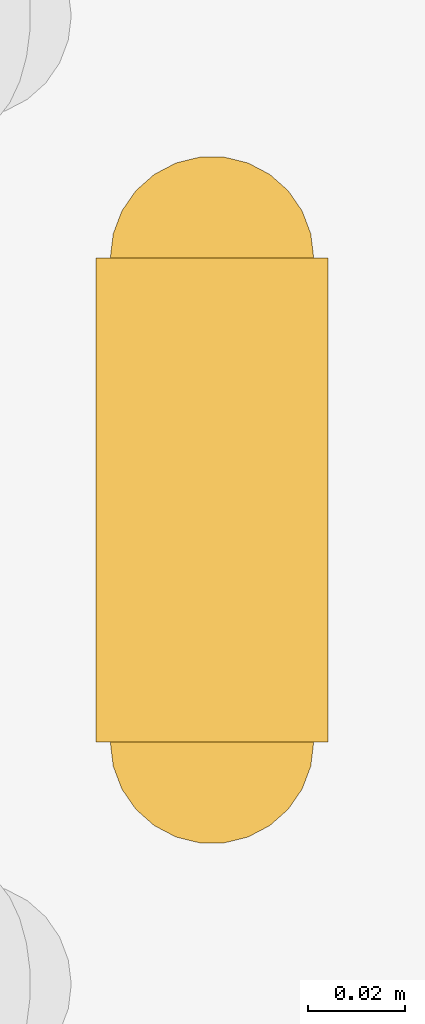
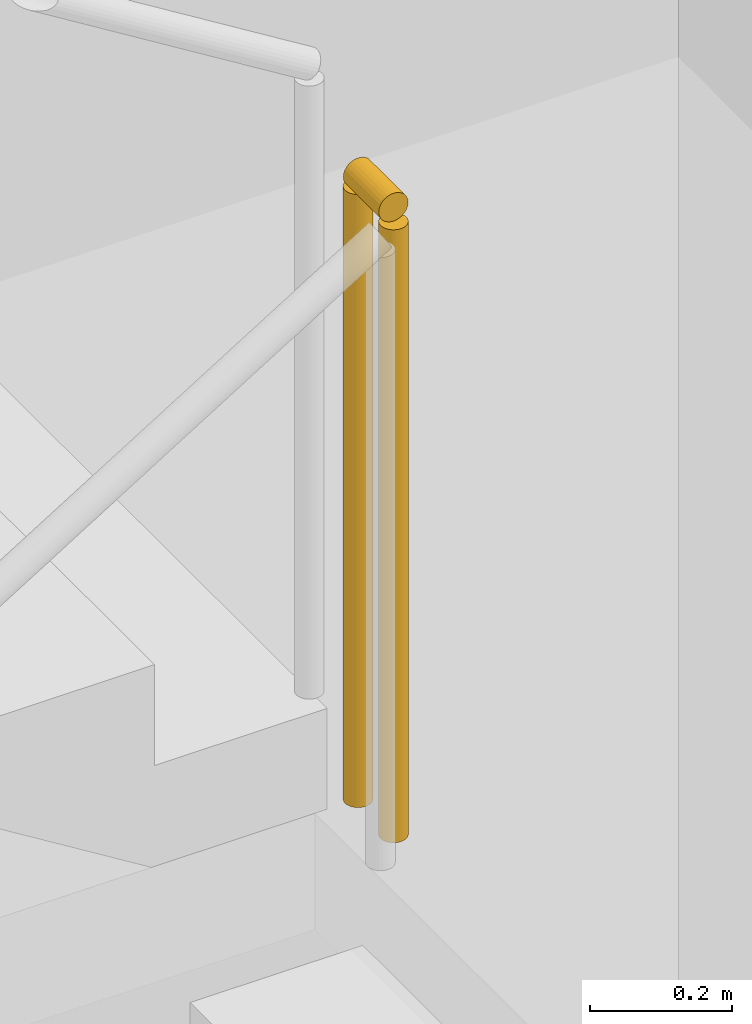
# One storey, part 19 of 23: 1 railing.
"""IFC4 building model written with IfcOpenShell, lengths in metres."""

from ifc_helpers import new_model, si_unit, direction, frame, origin, origin_2d, place, context, subcontext, project, spatial, circle, extrude, material, type_object, element, save


model = new_model("IFC4")

# Units and contexts
model_context = context("Model", 3, precision=1e-05, world=origin(), true_north=direction((0.0, 1.0)))
body_context = subcontext(model_context, "Body", "Model", "MODEL_VIEW")
ifc_project = project(units=[si_unit("LENGTHUNIT", "METRE"), si_unit("AREAUNIT", "SQUARE_METRE"), si_unit("VOLUMEUNIT", "CUBIC_METRE"), si_unit("PLANEANGLEUNIT", "RADIAN"), si_unit("MASSUNIT", "GRAM", prefix="KILO")], contexts=[model_context])

# Site, building, storey
site_placement = place(None, origin())
site = spatial("IfcSite", under=ifc_project, at=site_placement, CompositionType="ELEMENT")
building_placement = place(site_placement, origin())
building = spatial("IfcBuilding", under=site, at=building_placement, Name="Stone Belt Terrace Tower", CompositionType="ELEMENT")
storey_placement = place(building_placement, frame((0.0, 0.0, -4.5)))
storey = spatial("IfcBuildingStorey", under=building, at=storey_placement, Name="B1", CompositionType="ELEMENT", Elevation=-4.5)

# Railing
ifc_material = material(Name="Structural steel C345", Category="steel")
railing_type = type_object("IfcRailingType", Name="Car park guard 1100", PredefinedType="GUARDRAIL", material=ifc_material)
railing_placement = place(storey_placement, frame((-2.739990234375, -19.949951171875, 2.25)))
element("IfcRailing", 1, at=railing_placement, inside=storey, type_object=railing_type, Name="B1 CS5 stair guard 2", PredefinedType="GUARDRAIL", context=body_context, shape_type="SweptSolid", body=[
    extrude(circle(Radius=0.02392578125, at=origin_2d()), frame((0.0, 0.0, 1.076171875), z_axis=(0.0, 1.0, 0.0), x_axis=(-1.0, 0.0, 0.0)), (0.0, 0.0, 1.0), 0.099853515625),
    extrude(circle(Radius=0.02099609375, at=origin_2d()), origin(), (0.0, 0.0, 1.0), 1.052001953125),
    extrude(circle(Radius=0.02099609375, at=origin_2d()), frame((0.0, 0.099853515625, 0.0)), (0.0, 0.0, 1.0), 1.052001953125),
])

save(model, "model.ifc")
